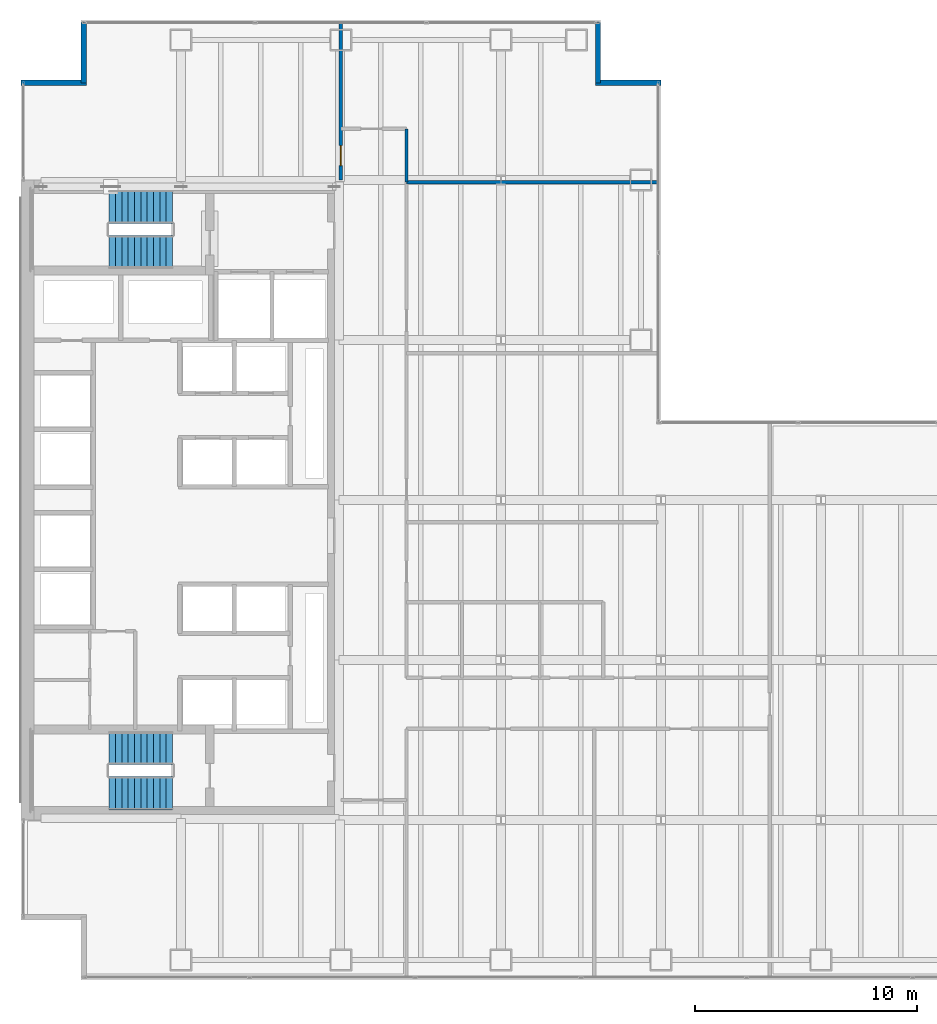
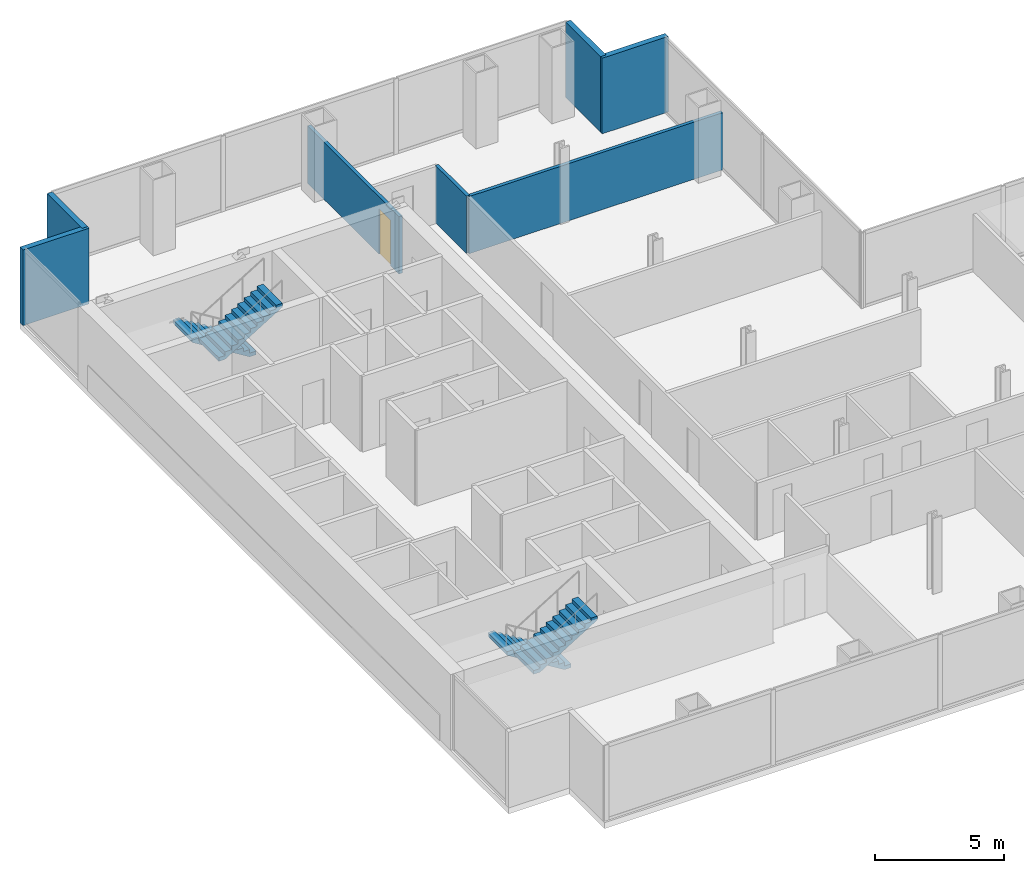
# One storey, part 22 of 25: 7 walls, 4 stair flights, 1 door, 1 opening, 2 elements without a shape of their own.
"""IFC4 building model written with IfcOpenShell, lengths in metres."""

from ifc_helpers import new_model, si_unit, direction, frame, frame_2d, origin, place, context, subcontext, project, spatial, polyline, rectangle, outline, extrude, material, layer, layer_set, type_object, element, fill, aggregate, save


model = new_model("IFC4")

# Units and contexts
model_context = context("Model", 3, precision=1e-05, world=origin(), true_north=direction((0.0, 1.0)))
body_context = subcontext(model_context, "Body", "Model", "MODEL_VIEW")
ifc_project = project(units=[si_unit("LENGTHUNIT", "METRE"), si_unit("AREAUNIT", "SQUARE_METRE"), si_unit("VOLUMEUNIT", "CUBIC_METRE"), si_unit("PLANEANGLEUNIT", "RADIAN"), si_unit("MASSUNIT", "GRAM", prefix="KILO")], contexts=[model_context])

# Site, building, storey
site_placement = place(None, origin())
site = spatial("IfcSite", under=ifc_project, at=site_placement, CompositionType="ELEMENT")
building_placement = place(site_placement, origin())
building = spatial("IfcBuilding", under=site, at=building_placement, Name="Cobrela Telecom Tower", CompositionType="ELEMENT")
storey_placement = place(building_placement, frame((0.0, 0.0, 61.949951171875)))
storey = spatial("IfcBuildingStorey", under=building, at=storey_placement, Name="L15", CompositionType="ELEMENT", Elevation=61.949951171875)

# Walls
ifc_material_1 = material(Name="Concrete C40/50", Category="concrete")
ifc_layer_1 = layer(ifc_material_1, 0.239990234375)
ifc_layer_set_1 = layer_set([ifc_layer_1], Name="Concrete C40/50")
wall_type_1 = type_object("IfcWallType", Name="WALL-EXT-300", PredefinedType="STANDARD", material=ifc_layer_set_1)
wall_1_placement = place(storey_placement, frame((0.0, 40.3701171875, 0.0), z_axis=(0.0, 0.0, 1.0), x_axis=(1.0, 0.0, 0.0)))
element("IfcWall", 1, at=wall_1_placement, inside=storey, type_object=wall_type_1, Name="L15 Insulated Facade Wall 05", PredefinedType="STANDARD", context=body_context, shape_type="SweptSolid", body=[
    extrude(rectangle(XDim=2.949951171875, YDim=0.239990234375, at=frame_2d((1.47509765625, 0.0))), origin(), (0.0, 0.0, 1.0), 3.570068359375),
])
for number, where, z_axis, x_axis, name in (
    (2, (2.830078125, 40.3701171875, 0.0), (0.0, 0.0, 1.0), (0.0, 1.0, 0.0), "L15 Insulated Facade Wall 06"),
    (3, (25.969970703125, 43.080078125, 0.0), (0.0, 0.0, 1.0), (0.0, -1.0, 0.0), "L15 Insulated Facade Wall 08"),
):
    element("IfcWall", number, at=place(storey_placement, frame(where, z_axis=z_axis, x_axis=x_axis)), inside=storey, type_object=wall_type_1, Name=name, PredefinedType="STANDARD", context=body_context, shape_type="SweptSolid", body=[
        extrude(rectangle(XDim=2.7099609375, YDim=0.239990234375, at=frame_2d((1.35498046875, 0.0))), origin(), (0.0, 0.0, 1.0), 3.570068359375),
    ])
wall_2_placement = place(storey_placement, frame((25.85009765625, 40.3701171875, 0.0), z_axis=(0.0, 0.0, 1.0), x_axis=(1.0, 0.0, 0.0)))
element("IfcWall", 4, at=wall_2_placement, inside=storey, type_object=wall_type_1, Name="L15 Insulated Facade Wall 09", PredefinedType="STANDARD", context=body_context, shape_type="SweptSolid", body=[
    extrude(rectangle(XDim=2.949951171875, YDim=0.239990234375, at=frame_2d((1.47509765625, 0.0))), origin(), (0.0, 0.0, 1.0), 3.570068359375),
])

# Wall, opening, door
ifc_material_2 = material(Name="Fire-Rated Gypsum Plasterboard")
ifc_layer_2 = layer(ifc_material_2, 0.14990234375)
ifc_layer_set_2 = layer_set([ifc_layer_2], Name="Fire-Rated Gypsum Plasterboard")
wall_type_2 = type_object("IfcWallType", Name="WALL-PART-150", PredefinedType="PARTITIONING", material=ifc_layer_set_2)
wall_3_placement = place(storey_placement, frame((14.39990234375, 36.0, 0.0), z_axis=(0.0, 0.0, 1.0), x_axis=(0.0, 1.0, 0.0)))
wall_3 = element("IfcWall", 5, at=wall_3_placement, inside=storey, type_object=wall_type_2, Name="L15 Interior Partition W-CN-W", PredefinedType="PARTITIONING", context=body_context, shape_type="SweptSolid", body=[
    extrude(rectangle(XDim=7.080078125, YDim=0.14990234375, at=frame_2d((3.5400390625, 0.0))), origin(), (0.0, 0.0, 1.0), 2.698974609375),
])
opening_placement = place(wall_3_placement, frame((0.64990234375, 0.0, 0.0)))
opening = element("IfcOpeningElement", 6, at=opening_placement, cuts=wall_3, Name="Opening DR-41", PredefinedType="OPENING", context=body_context, shape_type="SweptSolid", body=[
    extrude(rectangle(XDim=0.89990234375, YDim=2.14990234375, at=frame_2d((0.449951171875, 1.074951171875))), frame((0.0, 0.0869140625, 0.0), z_axis=(0.0, -1.0, 0.0), x_axis=(1.0, 0.0, 0.0)), (0.0, 0.0, 1.0), 0.173828125),
])
ifc_material_3 = material(Name="Solid Engineered Oak Timber", Category="wood")
door_type = type_object("IfcDoorType", Name="DOOR-INT-900", OperationType="SINGLE_SWING_LEFT", PredefinedType="DOOR", material=ifc_material_3)
door_placement = place(opening_placement, origin())
door = element("IfcDoor", 7, at=door_placement, inside=storey, type_object=door_type, Name="L15 Door DR-41", OperationType="SINGLE_SWING_LEFT", OverallHeight=2.14990234375, OverallWidth=0.89990234375, PredefinedType="DOOR", context=body_context, shape_type="SweptSolid", body=[
    extrude(rectangle(XDim=0.89990234375, YDim=2.14990234375, at=frame_2d((0.449951171875, 1.074951171875))), frame((0.0, 0.02490234375, 0.0), z_axis=(0.0, -1.0, 0.0), x_axis=(1.0, 0.0, 0.0)), (0.0, 0.0, 1.0), 0.050048828125),
])
fill(opening, door)

# Walls
wall_4_placement = place(storey_placement, frame((17.35009765625, 35.89990234375, 0.0), z_axis=(0.0, 0.0, 1.0), x_axis=(0.0, 1.0, 0.0)))
element("IfcWall", 8, at=wall_4_placement, inside=storey, type_object=wall_type_2, Name="L15 Interior Partition W-CN-E", PredefinedType="PARTITIONING", context=body_context, shape_type="SweptSolid", body=[
    extrude(rectangle(XDim=2.400146484375, YDim=0.14990234375, at=frame_2d((1.2001953125, 0.0))), origin(), (0.0, 0.0, 1.0), 2.698974609375),
])
wall_5_placement = place(storey_placement, frame((17.35009765625, 35.89990234375, 0.0), z_axis=(0.0, 0.0, 1.0), x_axis=(1.0, 0.0, 0.0)))
element("IfcWall", 9, at=wall_5_placement, inside=storey, type_object=wall_type_2, Name="L15 Interior Partition W-NW2-S", PredefinedType="PARTITIONING", context=body_context, shape_type="SweptSolid", body=[
    extrude(rectangle(XDim=11.329833984375, YDim=0.14990234375, at=frame_2d((5.6650390625, 0.0))), origin(), (0.0, 0.0, 1.0), 2.698974609375),
])

# Stair, stair flights
stair_type = type_object("IfcStairType", Name="STAIR-CORE", PredefinedType="HALF_TURN_STAIR", material=ifc_material_1)
stair_1_placement = place(storey_placement, origin())
stair_1 = element("IfcStair", 10, at=stair_1_placement, inside=storey, type_object=stair_type, Name="L15 Smokeproof Exit Stair ST1", PredefinedType="HALF_TURN_STAIR")
stair_flight_type = type_object("IfcStairFlightType", Name="FLIGHT-CORE", PredefinedType="STRAIGHT", material=ifc_material_1)
stair_flight_1_placement = place(storey_placement, frame((6.820068359375, 34.800048828125, 0.0), z_axis=(0.0, 0.0, 1.0), x_axis=(-1.0, 0.0, 0.0)))
stair_flight_1 = element("IfcStairFlight", 11, at=stair_flight_1_placement, type_object=stair_flight_type, Name="ST1 flight 1", NumberOfRisers=11, NumberOfTreads=10, PredefinedType="STRAIGHT", RiserHeight=0.175, TreadLength=0.285, context=body_context, shape_type="SweptSolid", body=[
    extrude(outline(polyline([(0.0, 0.0), (0.0, 0.175048828125), (0.284912109375, 0.175048828125), (0.284912109375, 0.35009765625), (0.570068359375, 0.35009765625), (0.570068359375, 0.52490234375), (0.85498046875, 0.52490234375), (0.85498046875, 0.699951171875), (1.139892578125, 0.699951171875), (1.139892578125, 0.875), (1.425048828125, 0.875), (1.425048828125, 1.050048828125), (1.7099609375, 1.050048828125), (1.7099609375, 1.22509765625), (1.9951171875, 1.22509765625), (1.9951171875, 1.39990234375), (2.280029296875, 1.39990234375), (2.280029296875, 1.574951171875), (2.56494140625, 1.574951171875), (2.56494140625, 1.75), (2.85009765625, 1.75), (2.85009765625, 1.925048828125), (2.85009765625, 1.573974609375), (0.286376953125, 0.0), (0.0, 0.0)])), frame((0.0, 0.75, 0.0), z_axis=(0.0, -1.0, 0.0), x_axis=(1.0, 0.0, 0.0)), (0.0, 0.0, 1.0), 1.5),
])
stair_flight_2_placement = place(storey_placement, frame((3.969970703125, 32.75, 1.925048828125), z_axis=(0.0, 0.0, 1.0), x_axis=(1.0, 0.0, 0.0)))
stair_flight_2 = element("IfcStairFlight", 12, at=stair_flight_2_placement, type_object=stair_flight_type, Name="ST1 flight 2", NumberOfRisers=11, NumberOfTreads=10, PredefinedType="STRAIGHT", RiserHeight=0.175, TreadLength=0.285, context=body_context, shape_type="SweptSolid", body=[
    extrude(outline(polyline([(0.0, 0.0), (0.0, 0.175048828125), (0.284912109375, 0.175048828125), (0.284912109375, 0.35009765625), (0.570068359375, 0.35009765625), (0.570068359375, 0.52490234375), (0.85498046875, 0.52490234375), (0.85498046875, 0.699951171875), (1.139892578125, 0.699951171875), (1.139892578125, 0.875), (1.425048828125, 0.875), (1.425048828125, 1.050048828125), (1.7099609375, 1.050048828125), (1.7099609375, 1.22509765625), (1.9951171875, 1.22509765625), (1.9951171875, 1.39990234375), (2.280029296875, 1.39990234375), (2.280029296875, 1.574951171875), (2.56494140625, 1.574951171875), (2.56494140625, 1.75), (2.85009765625, 1.75), (2.85009765625, 1.925048828125), (2.85009765625, 1.573974609375), (0.286376953125, 0.0), (0.0, 0.0)])), frame((0.0, 0.75, 0.0), z_axis=(0.0, -1.0, 0.0), x_axis=(1.0, 0.0, 0.0)), (0.0, 0.0, 1.0), 1.5),
])
aggregate(stair_1, [stair_flight_1, stair_flight_2])

stair_2_placement = place(storey_placement, origin())
stair_2 = element("IfcStair", 13, at=stair_2_placement, inside=storey, type_object=stair_type, Name="L15 Smokeproof Exit Stair ST2", PredefinedType="HALF_TURN_STAIR")
stair_flight_3_placement = place(storey_placement, frame((6.820068359375, 10.449951171875, 0.0), z_axis=(0.0, 0.0, 1.0), x_axis=(-1.0, 0.0, 0.0)))
stair_flight_3 = element("IfcStairFlight", 14, at=stair_flight_3_placement, type_object=stair_flight_type, Name="ST2 flight 1", NumberOfRisers=11, NumberOfTreads=10, PredefinedType="STRAIGHT", RiserHeight=0.175, TreadLength=0.285, context=body_context, shape_type="SweptSolid", body=[
    extrude(outline(polyline([(0.0, 0.0), (0.0, 0.175048828125), (0.284912109375, 0.175048828125), (0.284912109375, 0.35009765625), (0.570068359375, 0.35009765625), (0.570068359375, 0.52490234375), (0.85498046875, 0.52490234375), (0.85498046875, 0.699951171875), (1.139892578125, 0.699951171875), (1.139892578125, 0.875), (1.425048828125, 0.875), (1.425048828125, 1.050048828125), (1.7099609375, 1.050048828125), (1.7099609375, 1.22509765625), (1.9951171875, 1.22509765625), (1.9951171875, 1.39990234375), (2.280029296875, 1.39990234375), (2.280029296875, 1.574951171875), (2.56494140625, 1.574951171875), (2.56494140625, 1.75), (2.85009765625, 1.75), (2.85009765625, 1.925048828125), (2.85009765625, 1.573974609375), (0.286376953125, 0.0), (0.0, 0.0)])), frame((0.0, 0.75, 0.0), z_axis=(0.0, -1.0, 0.0), x_axis=(1.0, 0.0, 0.0)), (0.0, 0.0, 1.0), 1.5),
])
stair_flight_4_placement = place(storey_placement, frame((3.969970703125, 8.39990234375, 1.925048828125), z_axis=(0.0, 0.0, 1.0), x_axis=(1.0, 0.0, 0.0)))
stair_flight_4 = element("IfcStairFlight", 15, at=stair_flight_4_placement, type_object=stair_flight_type, Name="ST2 flight 2", NumberOfRisers=11, NumberOfTreads=10, PredefinedType="STRAIGHT", RiserHeight=0.175, TreadLength=0.285, context=body_context, shape_type="SweptSolid", body=[
    extrude(outline(polyline([(0.0, 0.0), (0.0, 0.175048828125), (0.284912109375, 0.175048828125), (0.284912109375, 0.35009765625), (0.570068359375, 0.35009765625), (0.570068359375, 0.52490234375), (0.85498046875, 0.52490234375), (0.85498046875, 0.699951171875), (1.139892578125, 0.699951171875), (1.139892578125, 0.875), (1.425048828125, 0.875), (1.425048828125, 1.050048828125), (1.7099609375, 1.050048828125), (1.7099609375, 1.22509765625), (1.9951171875, 1.22509765625), (1.9951171875, 1.39990234375), (2.280029296875, 1.39990234375), (2.280029296875, 1.574951171875), (2.56494140625, 1.574951171875), (2.56494140625, 1.75), (2.85009765625, 1.75), (2.85009765625, 1.925048828125), (2.85009765625, 1.573974609375), (0.286376953125, 0.0), (0.0, 0.0)])), frame((0.0, 0.75, 0.0), z_axis=(0.0, -1.0, 0.0), x_axis=(1.0, 0.0, 0.0)), (0.0, 0.0, 1.0), 1.5),
])
aggregate(stair_2, [stair_flight_3, stair_flight_4])

save(model, "model.ifc")
